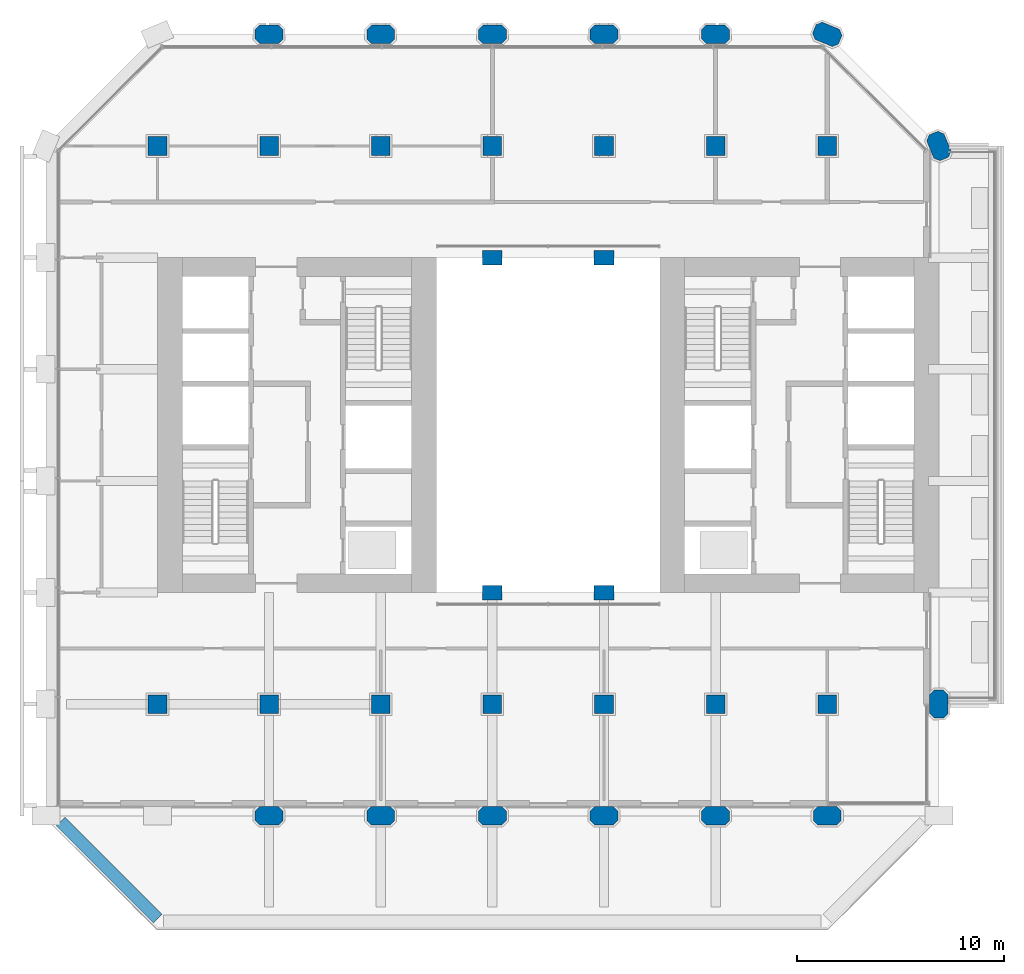
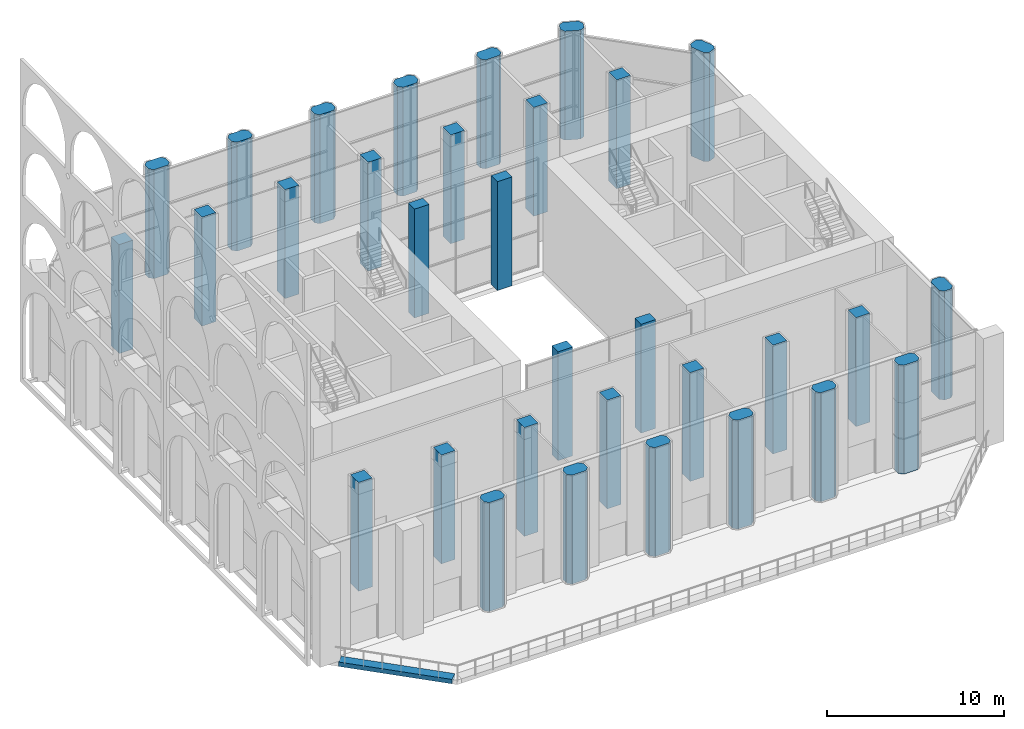
# One storey, part 1 of 20: 32 columns, 1 beam.
"""IFC4 building model written with IfcOpenShell, lengths in metres."""

from ifc_helpers import new_model, si_unit, direction, frame, origin, origin_2d, place, context, subcontext, project, spatial, polyline, rectangle, outline, extrude, material, material_profile, profile_set, type_object, element, save


model = new_model("IFC4")

# Units and contexts
model_context = context("Model", 3, precision=1e-05, world=origin(), true_north=direction((0.0, 1.0)))
body_context = subcontext(model_context, "Body", "Model", "MODEL_VIEW")
ifc_project = project(units=[si_unit("LENGTHUNIT", "METRE"), si_unit("AREAUNIT", "SQUARE_METRE"), si_unit("VOLUMEUNIT", "CUBIC_METRE"), si_unit("PLANEANGLEUNIT", "RADIAN"), si_unit("MASSUNIT", "GRAM", prefix="KILO")], contexts=[model_context])

# Site, building, storey
site_placement = place(None, origin())
site = spatial("IfcSite", under=ifc_project, at=site_placement, CompositionType="ELEMENT")
building_placement = place(site_placement, origin())
building = spatial("IfcBuilding", under=site, at=building_placement, Name="Tabaq Tower and Sports Hall", CompositionType="ELEMENT")
storey_placement = place(building_placement, frame((0.0, 0.0, 130.60009765625)))
storey = spatial("IfcBuildingStorey", under=building, at=storey_placement, Name="L31", CompositionType="ELEMENT", Elevation=130.60009765625)

# Columns
ifc_material_1 = material(Name="Concrete C50/60", Category="concrete")
ifc_material_profile_1 = material_profile(ifc_material_1, rectangle(XDim=0.949951171875, YDim=0.699951171875, at=origin_2d()), Name="ATRIUM COLUMN 950x700")
ifc_profile_set_1 = profile_set([ifc_material_profile_1], Name="Concrete C50/60")
column_type_1 = type_object("IfcColumnType", Name="RC COLUMN ATRIUM COLUMN 950x700 C50/60", PredefinedType="COLUMN", material=ifc_profile_set_1)
for number, where, z_axis, x_axis, name in (
    (1, (21.60009765625, 16.199951171875, 0.0), (0.0, 0.0, 1.0), (1.0, 0.0, 0.0), "Atrium Column 5/D L31"),
    (2, (27.0, 16.199951171875, 0.0), (0.0, 0.0, 1.0), (1.0, 0.0, 0.0), "Atrium Column 6/D L31"),
    (3, (21.60009765625, 32.39990234375, 0.0), (0.0, 0.0, 1.0), (1.0, 0.0, 0.0), "Atrium Column 5/G L31"),
    (4, (27.0, 32.39990234375, 0.0), (0.0, 0.0, 1.0), (1.0, 0.0, 0.0), "Atrium Column 6/G L31"),
):
    element("IfcColumn", number, at=place(storey_placement, frame(where, z_axis=z_axis, x_axis=x_axis)), inside=storey, type_object=column_type_1, Name=name, PredefinedType="COLUMN", context=body_context, shape_type="SweptSolid", body=[
        extrude(rectangle(XDim=0.949951171875, YDim=0.699951171875, at=origin_2d()), origin(), (0.0, 0.0, 1.0), 7.5),
    ])
ifc_material_2 = material(Name="Concrete C50/60", Category="concrete")
ifc_material_profile_2 = material_profile(ifc_material_2, rectangle(XDim=0.89990234375, YDim=0.89990234375, at=origin_2d()), Name="COLUMN 900x900")
ifc_profile_set_2 = profile_set([ifc_material_profile_2], Name="Concrete C50/60")
column_type_2 = type_object("IfcColumnType", Name="RC COLUMN COLUMN 900x900 C50/60", PredefinedType="COLUMN", material=ifc_profile_set_2)
for number, where, z_axis, x_axis, name in (
    (5, (5.39990234375, 10.800048828125, 0.0), (0.0, 0.0, 1.0), (1.0, 0.0, 0.0), "Column 2/C L31"),
    (6, (10.800048828125, 10.800048828125, 0.0), (0.0, 0.0, 1.0), (1.0, 0.0, 0.0), "Column 3/C L31"),
    (7, (16.199951171875, 10.800048828125, 0.0), (0.0, 0.0, 1.0), (1.0, 0.0, 0.0), "Column 4/C L31"),
    (8, (21.60009765625, 10.800048828125, 0.0), (0.0, 0.0, 1.0), (1.0, 0.0, 0.0), "Column 5/C L31"),
    (9, (27.0, 10.800048828125, 0.0), (0.0, 0.0, 1.0), (1.0, 0.0, 0.0), "Column 6/C L31"),
    (10, (32.39990234375, 10.800048828125, 0.0), (0.0, 0.0, 1.0), (1.0, 0.0, 0.0), "Column 7/C L31"),
    (11, (37.800048828125, 10.800048828125, 0.0), (0.0, 0.0, 1.0), (1.0, 0.0, 0.0), "Column 8/C L31"),
    (12, (5.39990234375, 37.800048828125, 0.0), (0.0, 0.0, 1.0), (1.0, 0.0, 0.0), "Column 2/H L31"),
    (13, (10.800048828125, 37.800048828125, 0.0), (0.0, 0.0, 1.0), (1.0, 0.0, 0.0), "Column 3/H L31"),
    (14, (16.199951171875, 37.800048828125, 0.0), (0.0, 0.0, 1.0), (1.0, 0.0, 0.0), "Column 4/H L31"),
    (15, (21.60009765625, 37.800048828125, 0.0), (0.0, 0.0, 1.0), (1.0, 0.0, 0.0), "Column 5/H L31"),
    (16, (27.0, 37.800048828125, 0.0), (0.0, 0.0, 1.0), (1.0, 0.0, 0.0), "Column 6/H L31"),
    (17, (32.39990234375, 37.800048828125, 0.0), (0.0, 0.0, 1.0), (1.0, 0.0, 0.0), "Column 7/H L31"),
    (18, (37.800048828125, 37.800048828125, 0.0), (0.0, 0.0, 1.0), (1.0, 0.0, 0.0), "Column 8/H L31"),
):
    element("IfcColumn", number, at=place(storey_placement, frame(where, z_axis=z_axis, x_axis=x_axis)), inside=storey, type_object=column_type_2, Name=name, PredefinedType="COLUMN", context=body_context, shape_type="SweptSolid", body=[
        extrude(rectangle(XDim=0.89990234375, YDim=0.89990234375, at=origin_2d()), origin(), (0.0, 0.0, 1.0), 7.5),
    ])
ifc_material_3 = material(Name="Concrete C50/60", Category="concrete")
ifc_material_profile_3 = material_profile(ifc_material_3, outline(polyline([(-0.449951171875, -0.449951171875), (0.449951171875, -0.449951171875), (0.675048828125, -0.22509765625), (0.675048828125, 0.22509765625), (0.449951171875, 0.449951171875), (-0.449951171875, 0.449951171875), (-0.675048828125, 0.22509765625), (-0.675048828125, -0.22509765625), (-0.449951171875, -0.449951171875)])), Name="PIER 1350x900")
ifc_profile_set_3 = profile_set([ifc_material_profile_3], Name="Concrete C50/60")
column_type_3 = type_object("IfcColumnType", Name="RC COLUMN PIER 1350x900 C50/60", PredefinedType="COLUMN", material=ifc_profile_set_3)
for number, where, z_axis, x_axis, name in (
    (19, (10.800048828125, 5.39990234375, 0.0), (0.0, 0.0, 1.0), (1.0, 0.0, 0.0), "Pier 3/B L31"),
    (20, (16.199951171875, 5.39990234375, 0.0), (0.0, 0.0, 1.0), (1.0, 0.0, 0.0), "Pier 4/B L31"),
    (21, (21.60009765625, 5.39990234375, 0.0), (0.0, 0.0, 1.0), (1.0, 0.0, 0.0), "Pier 5/B L31"),
    (22, (27.0, 5.39990234375, 0.0), (0.0, 0.0, 1.0), (1.0, 0.0, 0.0), "Pier 6/B L31"),
    (23, (32.39990234375, 5.39990234375, 0.0), (0.0, 0.0, 1.0), (1.0, 0.0, 0.0), "Pier 7/B L31"),
    (24, (37.800048828125, 5.39990234375, 0.0), (0.0, 0.0, 1.0), (1.0, 0.0, 0.0), "Pier 8/B L31"),
    (25, (43.199951171875, 10.800048828125, 0.0), (0.0, 0.0, 1.0), (0.0, 1.0, 0.0), "Pier 9/C L31"),
    (26, (43.199951171875, 37.800048828125, 0.0), (0.0, 0.0, 1.0), (-0.382683432365, 0.923879532511, 0.0), "Pier 9/H L31"),
    (27, (10.800048828125, 43.199951171875, 0.0), (0.0, 0.0, 1.0), (1.0, 0.0, 0.0), "Pier 3/I L31"),
    (28, (16.199951171875, 43.199951171875, 0.0), (0.0, 0.0, 1.0), (1.0, 0.0, 0.0), "Pier 4/I L31"),
    (29, (21.60009765625, 43.199951171875, 0.0), (0.0, 0.0, 1.0), (1.0, 0.0, 0.0), "Pier 5/I L31"),
    (30, (27.0, 43.199951171875, 0.0), (0.0, 0.0, 1.0), (1.0, 0.0, 0.0), "Pier 6/I L31"),
    (31, (32.39990234375, 43.199951171875, 0.0), (0.0, 0.0, 1.0), (1.0, 0.0, 0.0), "Pier 7/I L31"),
    (32, (37.800048828125, 43.199951171875, 0.0), (0.0, 0.0, 1.0), (-0.923879532511, 0.382683432365, 0.0), "Pier 8/I L31"),
):
    element("IfcColumn", number, at=place(storey_placement, frame(where, z_axis=z_axis, x_axis=x_axis)), inside=storey, type_object=column_type_3, Name=name, PredefinedType="COLUMN", context=body_context, shape_type="SweptSolid", body=[
        extrude(outline(polyline([(-0.449951171875, -0.449951171875), (0.449951171875, -0.449951171875), (0.675048828125, -0.22509765625), (0.675048828125, 0.22509765625), (0.449951171875, 0.449951171875), (-0.449951171875, 0.449951171875), (-0.675048828125, 0.22509765625), (-0.675048828125, -0.22509765625), (-0.449951171875, -0.449951171875)])), origin(), (0.0, 0.0, 1.0), 7.5),
    ])

# Beam
ifc_material_4 = material(Name="Concrete C40/50", Category="concrete")
ifc_material_profile_4 = material_profile(ifc_material_4, rectangle(XDim=0.60009765625, YDim=0.300048828125, at=origin_2d()), Name="EB 600x300")
ifc_profile_set_4 = profile_set([ifc_material_profile_4], Name="Concrete C40/50")
beam_type = type_object("IfcBeamType", Name="PT EDGE BEAM EB 600x300 C40/50", PredefinedType="SPANDREL", material=ifc_profile_set_4)
beam_placement = place(storey_placement, frame((0.71435546875, 5.110107421875, -0.150146484375), z_axis=(0.707106781187, -0.707106781187, 0.0), x_axis=(0.707106781187, 0.707106781187, 0.0)))
element("IfcBeam", 33, at=beam_placement, inside=storey, type_object=beam_type, Name="Edge Beam L31 5", PredefinedType="SPANDREL", context=body_context, shape_type="SweptSolid", body=[
    extrude(rectangle(XDim=0.60009765625, YDim=0.300048828125, at=origin_2d()), origin(), (0.0, 0.0, 1.0), 6.628173828125),
])

save(model, "model.ifc")
